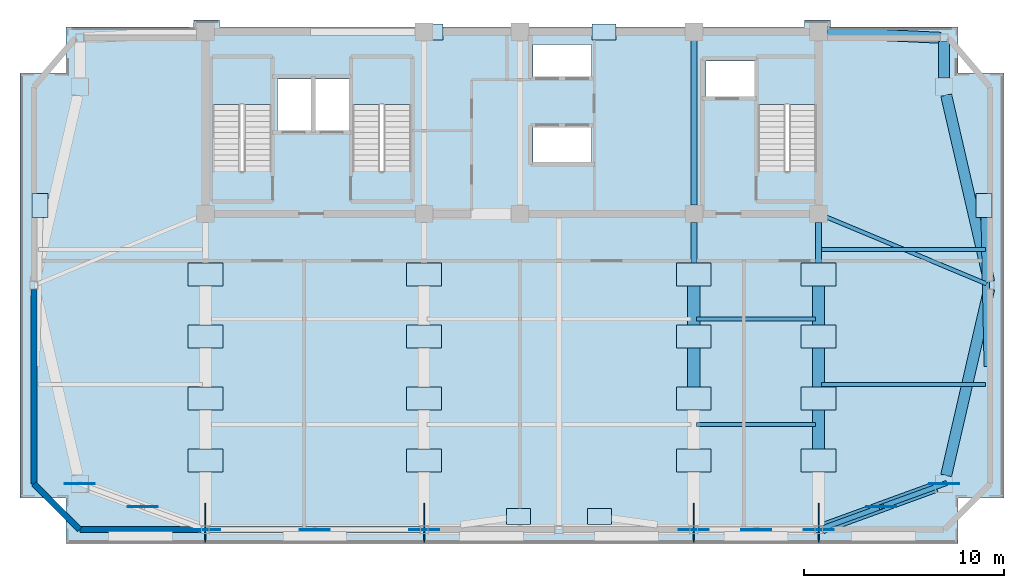
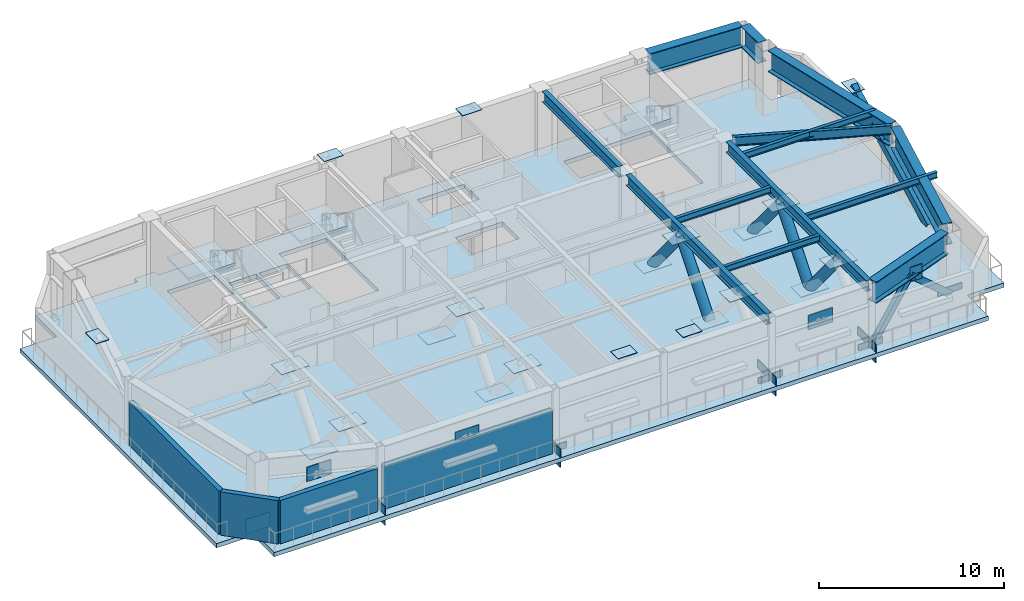
# One storey, part 2 of 7: 36 plates, 13 beams, 8 members, 4 slabs, 4 walls, 3 elements without a shape of their own.
"""IFC4 building model written with IfcOpenShell, lengths in metres."""

from ifc_helpers import new_model, si_unit, direction, frame, frame_2d, origin, origin_2d, place, context, subcontext, project, spatial, polyline, rectangle, hollow_rectangle, hollow_circle, i_section, outline, extrude, source, transform, mapped, material, layer, layer_set, material_profile, profile_set, type_object, element, aggregate, save


model = new_model("IFC4")

# Units and contexts
model_context = context("Model", 3, precision=1e-05, world=origin(), true_north=direction((0.0, 1.0)))
body_context = subcontext(model_context, "Body", "Model", "MODEL_VIEW")
ifc_project = project(units=[si_unit("LENGTHUNIT", "METRE"), si_unit("AREAUNIT", "SQUARE_METRE"), si_unit("VOLUMEUNIT", "CUBIC_METRE"), si_unit("PLANEANGLEUNIT", "RADIAN"), si_unit("MASSUNIT", "GRAM", prefix="KILO")], contexts=[model_context])

# Site, building, storey
site_placement = place(None, origin())
site = spatial("IfcSite", under=ifc_project, at=site_placement, CompositionType="ELEMENT")
building_placement = place(site_placement, origin())
building = spatial("IfcBuilding", under=site, at=building_placement, Name="Giltprow Tower", CompositionType="ELEMENT")
storey_placement = place(building_placement, frame((0.0, 0.0, 327.800048828125)))
storey = spatial("IfcBuildingStorey", under=building, at=storey_placement, Name="L85", CompositionType="ELEMENT", Elevation=327.800048828125)

# Beams
ifc_material_1 = material(Name="Structural steel Q355B", Category="steel")
ifc_material_profile_1 = material_profile(ifc_material_1, i_section(OverallWidth=0.199951171875, OverallDepth=0.39990234375, WebThickness=0.008056640625, FlangeThickness=0.012939453125, at=origin_2d()), Name="HN 400x200x8x13")
ifc_profile_set_1 = profile_set([ifc_material_profile_1], Name="Structural steel Q355B")
beam_type_1 = type_object("IfcBeamType", Name="BM-JOIST-HN400", PredefinedType="JOIST", material=ifc_profile_set_1)
shared_shape_1 = source(origin(), body_context, "Body", "SweptSolid", [
    extrude(i_section(OverallWidth=0.199951171875, OverallDepth=0.39990234375, WebThickness=0.008056640625, FlangeThickness=0.012939453125, at=origin_2d()), origin(), (0.0, 0.0, 1.0), 5.9599609375),
])
for number, where, z_axis, x_axis, name in (
    (1, (44.445068359375, 26.906982421875, 4.0849609375), (1.0, 0.0, 0.0), (0.0, 1.0, 0.0), "L85 Composite Floor Joist 1-4"),
    (2, (44.445068359375, 32.178955078125, 4.0849609375), (1.0, 0.0, 0.0), (0.0, 1.0, 0.0), "L85 Composite Floor Joist 2-4"),
):
    element("IfcBeam", number, at=place(storey_placement, frame(where, z_axis=z_axis, x_axis=x_axis)), inside=storey, type_object=beam_type_1, Name=name, PredefinedType="JOIST", context=body_context, shape_type="MappedRepresentation", body=[
        mapped(shared_shape_1, transform((0.0, 0.0, 0.0), x_axis=(1.0, 0.0, 0.0), y_axis=(0.0, 1.0, 0.0), z_axis=(0.0, 0.0, 1.0), scale=1.0)),
    ])
ifc_material_profile_2 = material_profile(ifc_material_1, i_section(OverallWidth=0.300048828125, OverallDepth=0.699951171875, WebThickness=0.012939453125, FlangeThickness=0.02392578125, at=origin_2d()), Name="HN 700x300x13x24")
ifc_profile_set_2 = profile_set([ifc_material_profile_2], Name="Structural steel Q355B")
beam_type_2 = type_object("IfcBeamType", Name="BM-GIRD-HN700", PredefinedType="BEAM", material=ifc_profile_set_2)
shared_shape_2 = source(origin(), body_context, "Body", "SweptSolid", [
    extrude(i_section(OverallWidth=0.300048828125, OverallDepth=0.699951171875, WebThickness=0.012939453125, FlangeThickness=0.02392578125, at=origin_2d()), origin(), (0.0, 0.0, 1.0), 8.22998046875),
])
beam_1_placement = place(storey_placement, frame((44.300048828125, 37.885009765625, 3.93505859375), z_axis=(0.0, 1.0, 0.0), x_axis=(-1.0, 0.0, 0.0)))
element("IfcBeam", 3, at=beam_1_placement, inside=storey, type_object=beam_type_2, Name="L85 Core Tie Girder M3", PredefinedType="BEAM", context=body_context, shape_type="MappedRepresentation", body=[
    mapped(shared_shape_2, transform((0.0, 0.0, 0.0), x_axis=(1.0, 0.0, 0.0), y_axis=(0.0, 1.0, 0.0), z_axis=(0.0, 0.0, 1.0), scale=1.0)),
])
shared_shape_3 = source(origin(), body_context, "Body", "SweptSolid", [
    extrude(i_section(OverallWidth=0.300048828125, OverallDepth=0.699951171875, WebThickness=0.012939453125, FlangeThickness=0.02392578125, at=origin_2d()), origin(), (0.0, 0.0, 1.0), 15.19384765625),
])
for number, where, z_axis, x_axis, name in (
    (4, (44.300048828125, 21.821044921875, 3.93505859375), (0.0, 1.0, 0.0), (-1.0, 0.0, 0.0), "L85 Primary Lease Girder S3"),
    (5, (50.550048828125, 21.821044921875, 3.93505859375), (0.0, 1.0, 0.0), (-1.0, 0.0, 0.0), "L85 Primary Lease Girder S4"),
):
    element("IfcBeam", number, at=place(storey_placement, frame(where, z_axis=z_axis, x_axis=x_axis)), inside=storey, type_object=beam_type_2, Name=name, PredefinedType="BEAM", context=body_context, shape_type="MappedRepresentation", body=[
        mapped(shared_shape_3, transform((0.0, 0.0, 0.0), x_axis=(1.0, 0.0, 0.0), y_axis=(0.0, 1.0, 0.0), z_axis=(0.0, 0.0, 1.0), scale=1.0)),
    ])
ifc_material_profile_3 = material_profile(ifc_material_1, i_section(OverallWidth=0.199951171875, OverallDepth=0.60009765625, WebThickness=0.010986328125, FlangeThickness=0.01708984375, at=origin_2d()), Name="HN 600x200x11x17")
ifc_profile_set_3 = profile_set([ifc_material_profile_3], Name="Structural steel Q355B")
beam_type_3 = type_object("IfcBeamType", Name="BM-GIRD-HN600", PredefinedType="BEAM", material=ifc_profile_set_3)
shared_shape_4 = source(origin(), body_context, "Body", "SweptSolid", [
    extrude(i_section(OverallWidth=0.199951171875, OverallDepth=0.60009765625, WebThickness=0.010986328125, FlangeThickness=0.01708984375, at=origin_2d()), origin(), (0.0, 0.0, 1.0), 8.6787109375),
])
beam_2_placement = place(storey_placement, frame((58.9599609375, 33.93896484375, 3.98486328125), z_axis=(-0.922834547901, 0.38519656956, 0.0), x_axis=(-0.38519656956, -0.922834547901, 0.0)))
element("IfcBeam", 6, at=beam_2_placement, inside=storey, type_object=beam_type_3, Name="L85 East Wing Primary Girder", PredefinedType="BEAM", context=body_context, shape_type="MappedRepresentation", body=[
    mapped(shared_shape_4, transform((0.0, 0.0, 0.0), x_axis=(1.0, 0.0, 0.0), y_axis=(0.0, 1.0, 0.0), z_axis=(0.0, 0.0, 1.0), scale=1.0)),
])
shared_shape_5 = source(origin(), body_context, "Body", "SweptSolid", [
    extrude(i_section(OverallWidth=0.199951171875, OverallDepth=0.39990234375, WebThickness=0.008056640625, FlangeThickness=0.012939453125, at=origin_2d()), origin(), (0.0, 0.0, 1.0), 8.2158203125),
])
for number, where, z_axis, x_axis, name in (
    (7, (50.695068359375, 28.89794921875, 4.0849609375), (1.0, 0.0, 0.0), (0.0, 1.0, 0.0), "L85 East Wing Floor Joist 1"),
    (8, (50.695068359375, 35.658935546875, 4.0849609375), (1.0, 0.0, 0.0), (0.0, 1.0, 0.0), "L85 East Wing Floor Joist 2"),
):
    element("IfcBeam", number, at=place(storey_placement, frame(where, z_axis=z_axis, x_axis=x_axis)), inside=storey, type_object=beam_type_1, Name=name, PredefinedType="JOIST", context=body_context, shape_type="MappedRepresentation", body=[
        mapped(shared_shape_5, transform((0.0, 0.0, 0.0), x_axis=(1.0, 0.0, 0.0), y_axis=(0.0, 1.0, 0.0), z_axis=(0.0, 0.0, 1.0), scale=1.0)),
    ])
ifc_material_2 = material(Name="Structural steel Q420GJC", Category="steel")
ifc_material_profile_4 = material_profile(ifc_material_2, i_section(OverallWidth=0.550048828125, OverallDepth=1.39990234375, WebThickness=0.031982421875, FlangeThickness=0.050048828125, at=origin_2d()), Name="WH 1400x550x32x50")
ifc_profile_set_4 = profile_set([ifc_material_profile_4], Name="Structural steel Q420GJC")
beam_type_4 = type_object("IfcBeamType", Name="BM-XFER-WH1400", PredefinedType="BEAM", material=ifc_profile_set_4)
shared_shape_6 = source(origin(), body_context, "Body", "SweptSolid", [
    extrude(i_section(OverallWidth=0.550048828125, OverallDepth=1.39990234375, WebThickness=0.031982421875, FlangeThickness=0.050048828125, at=origin_2d()), origin(), (0.0, 0.0, 1.0), 6.0732421875),
])
beam_3_placement = place(storey_placement, frame((50.72412109375, 21.698974609375, 3.5849609375), z_axis=(0.939516115667, 0.342504698365, 0.0), x_axis=(-0.342504698365, 0.939516115667, 0.0)))
element("IfcBeam", 9, at=beam_3_placement, inside=storey, type_object=beam_type_4, Name="L85 Perimeter Spandrel Beam S4-MC_SE", PredefinedType="BEAM", context=body_context, shape_type="MappedRepresentation", body=[
    mapped(shared_shape_6, transform((0.0, 0.0, 0.0), x_axis=(1.0, 0.0, 0.0), y_axis=(0.0, 1.0, 0.0), z_axis=(0.0, 0.0, 1.0), scale=1.0)),
])
shared_shape_7 = source(origin(), body_context, "Body", "SweptSolid", [
    extrude(i_section(OverallWidth=0.550048828125, OverallDepth=1.39990234375, WebThickness=0.031982421875, FlangeThickness=0.050048828125, at=origin_2d()), origin(), (0.0, 0.0, 1.0), 9.580810546875),
])
for number, where, z_axis, x_axis, name in (
    (10, (56.93701171875, 24.35205078125, 3.5849609375), (0.224626866527, 0.974444852639, 0.0), (-0.974444852639, 0.224626866527, 0.0), "L85 Perimeter Spandrel Beam MC_SE-E_MID"),
    (11, (59.089111328125, 34.048095703125, 3.5849609375), (-0.224626866527, 0.974444852639, 0.0), (-0.974444852639, -0.224626866527, 0.0), "L85 Perimeter Spandrel Beam E_MID-MC_NE"),
):
    element("IfcBeam", number, at=place(storey_placement, frame(where, z_axis=z_axis, x_axis=x_axis)), inside=storey, type_object=beam_type_4, Name=name, PredefinedType="BEAM", context=body_context, shape_type="MappedRepresentation", body=[
        mapped(shared_shape_7, transform((0.0, 0.0, 0.0), x_axis=(1.0, 0.0, 0.0), y_axis=(0.0, 1.0, 0.0), z_axis=(0.0, 0.0, 1.0), scale=1.0)),
    ])
shared_shape_8 = source(origin(), body_context, "Body", "SweptSolid", [
    extrude(i_section(OverallWidth=0.550048828125, OverallDepth=1.39990234375, WebThickness=0.031982421875, FlangeThickness=0.050048828125, at=origin_2d()), origin(), (0.0, 0.0, 1.0), 1.822021484375),
])
beam_4_placement = place(storey_placement, frame((56.839111328125, 44.242919921875, 3.5849609375), z_axis=(0.0, 1.0, 0.0), x_axis=(-1.0, 0.0, 0.0)))
element("IfcBeam", 12, at=beam_4_placement, inside=storey, type_object=beam_type_4, Name="L85 Perimeter Spandrel Beam MC_NE-N_E", PredefinedType="BEAM", context=body_context, shape_type="MappedRepresentation", body=[
    mapped(shared_shape_8, transform((0.0, 0.0, 0.0), x_axis=(1.0, 0.0, 0.0), y_axis=(0.0, 1.0, 0.0), z_axis=(0.0, 0.0, 1.0), scale=1.0)),
])
shared_shape_9 = source(origin(), body_context, "Body", "SweptSolid", [
    extrude(i_section(OverallWidth=0.550048828125, OverallDepth=1.39990234375, WebThickness=0.031982421875, FlangeThickness=0.050048828125, at=origin_2d()), origin(), (0.0, 0.0, 1.0), 5.67529296875),
])
beam_5_placement = place(storey_placement, frame((50.985107421875, 46.529052734375, 3.5849609375), z_axis=(0.9988675537, -0.047577412334, 0.0), x_axis=(0.047577412334, 0.9988675537, 0.0)))
element("IfcBeam", 13, at=beam_5_placement, inside=storey, type_object=beam_type_4, Name="L85 North Wing Spandrel E", PredefinedType="BEAM", context=body_context, shape_type="MappedRepresentation", body=[
    mapped(shared_shape_9, transform((0.0, 0.0, 0.0), x_axis=(1.0, 0.0, 0.0), y_axis=(0.0, 1.0, 0.0), z_axis=(0.0, 0.0, 1.0), scale=1.0)),
])

# Members
ifc_material_profile_5 = material_profile(ifc_material_2, hollow_circle(Radius=0.304931640625, WallThickness=0.028076171875, at=origin_2d()), Name="CHS 610x28")
ifc_profile_set_5 = profile_set([ifc_material_profile_5], Name="Structural steel Q420GJC")
member_type_1 = type_object("IfcMemberType", Name="MBR-OUTR-CHS610", PredefinedType="BRACE", material=ifc_profile_set_5)
shared_shape_10 = source(origin(), body_context, "Body", "SweptSolid", [
    extrude(hollow_circle(Radius=0.304931640625, WallThickness=0.028076171875, at=origin_2d()), origin(), (0.0, 0.0, 1.0), 4.8642578125),
])
for number, where, z_axis, x_axis, name in (
    (14, (44.300048828125, 31.2958984375, 3.6650390625), (0.0, 0.638128394991, -0.769929965326), (-1.0, 0.0, 0.0), "L85 Outrigger Truss Diagonal S3-4"),
    (15, (50.550048828125, 31.2958984375, 3.6650390625), (0.0, 0.638128394991, -0.769929965326), (-1.0, 0.0, 0.0), "L85 Outrigger Truss Diagonal S4-4"),
):
    element("IfcMember", number, at=place(storey_placement, frame(where, z_axis=z_axis, x_axis=x_axis)), inside=storey, type_object=member_type_1, Name=name, PredefinedType="BRACE", context=body_context, shape_type="MappedRepresentation", body=[
        mapped(shared_shape_10, transform((0.0, 0.0, 0.0), x_axis=(1.0, 0.0, 0.0), y_axis=(0.0, 1.0, 0.0), z_axis=(0.0, 0.0, 1.0), scale=1.0)),
    ])
shared_shape_11 = source(origin(), body_context, "Body", "SweptSolid", [
    extrude(hollow_circle(Radius=0.304931640625, WallThickness=0.028076171875, at=origin_2d()), origin(), (0.0, 0.0, 1.0), 4.863525390625),
])
for number, where, z_axis, x_axis, name in (
    (16, (44.300048828125, 28.193115234375, -0.080078125), (0.0, 0.637979595091, 0.770053268448), (-1.0, 0.0, 0.0), "L85 Outrigger Truss Diagonal S3-3"),
    (17, (50.550048828125, 25.090087890625, 3.6650390625), (0.0, 0.63800936079, -0.770028606965), (-1.0, 0.0, 0.0), "L85 Outrigger Truss Diagonal S4-2"),
    (18, (50.550048828125, 28.193115234375, -0.080078125), (0.0, 0.637979595091, 0.770053268448), (-1.0, 0.0, 0.0), "L85 Outrigger Truss Diagonal S4-3"),
):
    element("IfcMember", number, at=place(storey_placement, frame(where, z_axis=z_axis, x_axis=x_axis)), inside=storey, type_object=member_type_1, Name=name, PredefinedType="BRACE", context=body_context, shape_type="MappedRepresentation", body=[
        mapped(shared_shape_11, transform((0.0, 0.0, 0.0), x_axis=(1.0, 0.0, 0.0), y_axis=(0.0, 1.0, 0.0), z_axis=(0.0, 0.0, 1.0), scale=1.0)),
    ])
ifc_material_profile_6 = material_profile(ifc_material_2, hollow_rectangle(XDim=0.25, YDim=0.39990234375, WallThickness=0.01806640625, at=origin_2d()), Name="RHS 400x250x18")
ifc_profile_set_6 = profile_set([ifc_material_profile_6], Name="Structural steel Q420GJC")
member_type_2 = type_object("IfcMemberType", Name="MBR-BELT-RHS400", PredefinedType="CHORD", material=ifc_profile_set_6)
shared_shape_12 = source(origin(), body_context, "Body", "SweptSolid", [
    extrude(hollow_rectangle(XDim=0.25, YDim=0.39990234375, WallThickness=0.01806640625, at=origin_2d()), origin(), (0.0, 0.0, 1.0), 4.5244140625),
])
member_1_placement = place(storey_placement, frame((50.550048828125, 21.635986328125, -0.080078125), z_axis=(0.694913918805, 0.253294450603, 0.673005621629), x_axis=(-0.342457618058, 0.939533277662, 0.0)))
element("IfcMember", 19, at=member_1_placement, inside=storey, type_object=member_type_2, Name="L85 Belt-Truss Diagonal 4-1", PredefinedType="CHORD", context=body_context, shape_type="MappedRepresentation", body=[
    mapped(shared_shape_12, transform((0.0, 0.0, 0.0), x_axis=(1.0, 0.0, 0.0), y_axis=(0.0, 1.0, 0.0), z_axis=(0.0, 0.0, 1.0), scale=1.0)),
])
shared_shape_13 = source(origin(), body_context, "Body", "SweptSolid", [
    extrude(hollow_rectangle(XDim=0.25, YDim=0.39990234375, WallThickness=0.01806640625, at=origin_2d()), origin(), (0.0, 0.0, 1.0), 4.525146484375),
])
member_2_placement = place(storey_placement, frame((56.839111328125, 23.927978515625, -0.080078125), z_axis=(-0.695025506142, -0.25325646063, 0.672904681929), x_axis=(0.342363747027, -0.939567488114, 0.0)))
element("IfcMember", 20, at=member_2_placement, inside=storey, type_object=member_type_2, Name="L85 Belt-Truss Diagonal 4-2", PredefinedType="CHORD", context=body_context, shape_type="MappedRepresentation", body=[
    mapped(shared_shape_13, transform((0.0, 0.0, 0.0), x_axis=(1.0, 0.0, 0.0), y_axis=(0.0, 1.0, 0.0), z_axis=(0.0, 0.0, 1.0), scale=1.0)),
])
ifc_material_profile_7 = material_profile(ifc_material_2, hollow_rectangle(XDim=0.35009765625, YDim=0.5, WallThickness=0.02392578125, at=origin_2d()), Name="RHS 500x350x24")
ifc_profile_set_7 = profile_set([ifc_material_profile_7], Name="Structural steel Q420GJC")
member_type_3 = type_object("IfcMemberType", Name="MBR-MEGA-RHS500", PredefinedType="BRACE", material=ifc_profile_set_7)
shared_shape_14 = source(origin(), body_context, "Body", "SweptSolid", [
    extrude(hollow_rectangle(XDim=0.35009765625, YDim=0.5, WallThickness=0.02392578125, at=origin_2d()), origin(), (0.0, 0.0, 1.0), 9.124267578125),
])
member_3_placement = place(storey_placement, frame((59.006103515625, 29.923095703125, 0.0), z_axis=(-0.018194726134, 0.869734666149, 0.493184106029), x_axis=(-0.999781251558, -0.020915282297, 0.0)))
element("IfcMember", 21, at=member_3_placement, inside=storey, type_object=member_type_3, Name="L85 Chevron Mega-Brace E-D", PredefinedType="BRACE", context=body_context, shape_type="MappedRepresentation", body=[
    mapped(shared_shape_14, transform((0.0, 0.0, 0.0), x_axis=(1.0, 0.0, 0.0), y_axis=(0.0, 1.0, 0.0), z_axis=(0.0, 0.0, 1.0), scale=1.0)),
])

# Slab
ifc_material_3 = material(Name="Concrete C40", Category="concrete")
ifc_layer_1 = layer(ifc_material_3, 0.280029296875, Name="Concrete C40")
ifc_layer_set_1 = layer_set([ifc_layer_1], Name="Concrete C40")
slab_type_1 = type_object("IfcSlabType", Name="SLB-REF-280", PredefinedType="FLOOR", material=ifc_layer_set_1)
slab_1_placement = place(storey_placement, frame((0.0, 0.0, -0.280029296875)))
element("IfcSlab", 22, at=slab_1_placement, inside=storey, type_object=slab_type_1, Name="L85 Structural Composite Floor Slab", PredefinedType="FLOOR", context=body_context, shape_type="SweptSolid", body=[
    extrude(outline(polyline([(59.8310546875, 44.508056640625), (59.8310546875, 23.22802734375), (57.5380859375, 23.22802734375), (57.5380859375, 20.93603515625), (12.862060546875, 20.93603515625), (12.862060546875, 23.22802734375), (10.570068359375, 23.22802734375), (10.570068359375, 44.508056640625), (12.862060546875, 44.508056640625), (12.862060546875, 46.800048828125), (19.25, 46.800048828125), (19.25, 47.14990234375), (20.550048828125, 47.14990234375), (20.550048828125, 46.800048828125), (49.85009765625, 46.800048828125), (49.85009765625, 47.14990234375), (51.14990234375, 47.14990234375), (51.14990234375, 46.800048828125), (57.5380859375, 46.800048828125), (57.5380859375, 44.508056640625), (59.8310546875, 44.508056640625)]), holes=[polyline([(39.18994140625, 41.800048828125), (36.239990234375, 41.800048828125), (36.239990234375, 40.0), (39.18994140625, 40.0), (39.18994140625, 41.800048828125)]), polyline([(23.159912109375, 45.25), (20.199951171875, 45.25), (20.199951171875, 39.570068359375), (23.159912109375, 39.570068359375), (23.159912109375, 45.25)]), polyline([(30.159912109375, 45.25), (27.199951171875, 45.25), (27.199951171875, 39.570068359375), (30.159912109375, 39.570068359375), (30.159912109375, 45.25)]), polyline([(50.4599609375, 45.25), (47.5, 45.25), (47.5, 39.570068359375), (50.4599609375, 39.570068359375), (50.4599609375, 45.25)]), polyline([(25.169921875, 44.199951171875), (23.449951171875, 44.199951171875), (23.449951171875, 41.60009765625), (25.169921875, 41.60009765625), (25.169921875, 44.199951171875)]), polyline([(27.10009765625, 44.199951171875), (25.35009765625, 44.199951171875), (25.35009765625, 41.60009765625), (27.10009765625, 41.60009765625), (27.10009765625, 44.199951171875)]), polyline([(47.3798828125, 45.10009765625), (44.919921875, 45.10009765625), (44.919921875, 43.300048828125), (47.3798828125, 43.300048828125), (47.3798828125, 45.10009765625)]), polyline([(39.18994140625, 45.919921875), (36.239990234375, 45.919921875), (36.239990234375, 44.300048828125), (39.18994140625, 44.300048828125), (39.18994140625, 45.919921875)])]), origin(), (0.0, 0.0, 1.0), 0.280029296875),
])

# Stair, slab
stair_type_1 = type_object("IfcStairType", Name="STR-ST-1", PredefinedType="HALF_TURN_STAIR", material=ifc_material_3)
stair_1_placement = place(storey_placement, origin())
stair_1 = element("IfcStair", 23, at=stair_1_placement, inside=storey, type_object=stair_type_1, Name="L85 Core Exit Stair ST-1", PredefinedType="HALF_TURN_STAIR")
ifc_layer_2 = layer(ifc_material_3, 0.179931640625, Name="Concrete C40")
ifc_layer_set_2 = layer_set([ifc_layer_2], Name="Concrete C40")
slab_type_2 = type_object("IfcSlabType", Name="SLD-ST-1", PredefinedType="LANDING", material=ifc_layer_set_2)
slab_2_placement = place(storey_placement, frame((0.0, 0.0, 2.070068359375)))
slab_2 = element("IfcSlab", 24, at=slab_2_placement, type_object=slab_type_2, Name="ST-1 landing 1", PredefinedType="LANDING", context=body_context, shape_type="SweptSolid", body=[
    extrude(outline(polyline([(23.159912109375, 42.909912109375), (23.159912109375, 45.25), (20.199951171875, 45.25), (20.199951171875, 42.909912109375), (23.159912109375, 42.909912109375)])), origin(), (0.0, 0.0, 1.0), 0.179931640625),
])
aggregate(stair_1, [slab_2])

stair_type_2 = type_object("IfcStairType", Name="STR-ST-2", PredefinedType="HALF_TURN_STAIR", material=ifc_material_3)
stair_2_placement = place(storey_placement, origin())
stair_2 = element("IfcStair", 25, at=stair_2_placement, inside=storey, type_object=stair_type_2, Name="L85 Core Exit Stair ST-2", PredefinedType="HALF_TURN_STAIR")
ifc_layer_3 = layer(ifc_material_3, 0.18798828125, Name="Concrete C40")
ifc_layer_set_3 = layer_set([ifc_layer_3], Name="Concrete C40")
slab_type_3 = type_object("IfcSlabType", Name="SLD-ST-2", PredefinedType="LANDING", material=ifc_layer_set_3)
slab_3_placement = place(storey_placement, frame((0.0, 0.0, 2.06201171875)))
slab_3 = element("IfcSlab", 26, at=slab_3_placement, type_object=slab_type_3, Name="ST-2 landing 1", PredefinedType="LANDING", context=body_context, shape_type="SweptSolid", body=[
    extrude(outline(polyline([(30.159912109375, 42.909912109375), (30.159912109375, 45.25), (27.199951171875, 45.25), (27.199951171875, 42.909912109375), (30.159912109375, 42.909912109375)])), origin(), (0.0, 0.0, 1.0), 0.18798828125),
])
aggregate(stair_2, [slab_3])

stair_type_3 = type_object("IfcStairType", Name="STR-ST-3", PredefinedType="HALF_TURN_STAIR", material=ifc_material_3)
stair_3_placement = place(storey_placement, origin())
stair_3 = element("IfcStair", 27, at=stair_3_placement, inside=storey, type_object=stair_type_3, Name="L85 Core Exit Stair ST-3", PredefinedType="HALF_TURN_STAIR")
ifc_layer_4 = layer(ifc_material_3, 0.196044921875, Name="Concrete C40")
ifc_layer_set_4 = layer_set([ifc_layer_4], Name="Concrete C40")
slab_type_4 = type_object("IfcSlabType", Name="SLD-ST-3", PredefinedType="LANDING", material=ifc_layer_set_4)
slab_4_placement = place(storey_placement, frame((0.0, 0.0, 2.053955078125)))
slab_4 = element("IfcSlab", 28, at=slab_4_placement, type_object=slab_type_4, Name="ST-3 landing 1", PredefinedType="LANDING", context=body_context, shape_type="SweptSolid", body=[
    extrude(outline(polyline([(50.4599609375, 42.909912109375), (50.4599609375, 45.25), (47.5, 45.25), (47.5, 42.909912109375), (50.4599609375, 42.909912109375)])), origin(), (0.0, 0.0, 1.0), 0.196044921875),
])
aggregate(stair_3, [slab_4])

# Plates
plate_type_1 = type_object("IfcPlateType", Name="PLT-CAP-SEAL-INT", PredefinedType="USERDEFINED", material=ifc_material_2)
shared_shape_15 = source(origin(), body_context, "Body", "SweptSolid", [
    extrude(rectangle(XDim=1.75, YDim=1.14990234375, at=origin_2d()), origin(), (0.0, 0.0, 1.0), 0.0400390625),
])
for number, where, z_axis, x_axis, name in (
    (29, (19.85009765625, 25.090087890625, 3.64501953125), (0.0, 0.0, 1.0), (1.0, 0.0, 0.0), "Outrigger Seal Plate L85-S1-1B"),
    (30, (19.85009765625, 28.193115234375, -0.10009765625), (0.0, 0.0, 1.0), (1.0, 0.0, 0.0), "Outrigger Seal Plate L85-S1-2B"),
    (31, (19.85009765625, 31.2958984375, 3.64501953125), (0.0, 0.0, 1.0), (1.0, 0.0, 0.0), "Outrigger Seal Plate L85-S1-3B"),
    (32, (19.85009765625, 34.39990234375, -0.10009765625), (0.0, 0.0, 1.0), (1.0, 0.0, 0.0), "Outrigger Seal Plate L85-S1-4B"),
    (33, (30.800048828125, 25.090087890625, 3.64501953125), (0.0, 0.0, 1.0), (1.0, 0.0, 0.0), "Outrigger Seal Plate L85-S2-1B"),
    (34, (30.800048828125, 28.193115234375, -0.10009765625), (0.0, 0.0, 1.0), (1.0, 0.0, 0.0), "Outrigger Seal Plate L85-S2-2B"),
    (35, (30.800048828125, 31.2958984375, 3.64501953125), (0.0, 0.0, 1.0), (1.0, 0.0, 0.0), "Outrigger Seal Plate L85-S2-3B"),
    (36, (30.800048828125, 34.39990234375, -0.10009765625), (0.0, 0.0, 1.0), (1.0, 0.0, 0.0), "Outrigger Seal Plate L85-S2-4B"),
    (37, (44.300048828125, 25.090087890625, 3.64501953125), (0.0, 0.0, 1.0), (1.0, 0.0, 0.0), "Outrigger Seal Plate L85-S3-1B"),
    (38, (44.300048828125, 28.193115234375, -0.10009765625), (0.0, 0.0, 1.0), (1.0, 0.0, 0.0), "Outrigger Seal Plate L85-S3-2B"),
    (39, (44.300048828125, 31.2958984375, 3.64501953125), (0.0, 0.0, 1.0), (1.0, 0.0, 0.0), "Outrigger Seal Plate L85-S3-3B"),
    (40, (44.300048828125, 34.39990234375, -0.10009765625), (0.0, 0.0, 1.0), (1.0, 0.0, 0.0), "Outrigger Seal Plate L85-S3-4B"),
    (41, (50.550048828125, 25.090087890625, 3.64501953125), (0.0, 0.0, 1.0), (1.0, 0.0, 0.0), "Outrigger Seal Plate L85-S4-1B"),
    (42, (50.550048828125, 28.193115234375, -0.10009765625), (0.0, 0.0, 1.0), (1.0, 0.0, 0.0), "Outrigger Seal Plate L85-S4-2B"),
    (43, (50.550048828125, 31.2958984375, 3.64501953125), (0.0, 0.0, 1.0), (1.0, 0.0, 0.0), "Outrigger Seal Plate L85-S4-3B"),
    (44, (50.550048828125, 34.39990234375, -0.10009765625), (0.0, 0.0, 1.0), (1.0, 0.0, 0.0), "Outrigger Seal Plate L85-S4-4B"),
):
    element("IfcPlate", number, at=place(storey_placement, frame(where, z_axis=z_axis, x_axis=x_axis)), inside=storey, type_object=plate_type_1, Name=name, ObjectType="SPLICE", PredefinedType="USERDEFINED", context=body_context, shape_type="MappedRepresentation", body=[
        mapped(shared_shape_15, transform((0.0, 0.0, 0.0), x_axis=(1.0, 0.0, 0.0), y_axis=(0.0, 1.0, 0.0), z_axis=(0.0, 0.0, 1.0), scale=1.0)),
    ])
plate_type_2 = type_object("IfcPlateType", Name="PLT-NODE-OTN1", PredefinedType="USERDEFINED", material=ifc_material_2)
shared_shape_16 = source(origin(), body_context, "Body", "SweptSolid", [
    extrude(rectangle(XDim=1.949951171875, YDim=0.054931640625, at=origin_2d()), origin(), (0.0, 0.0, 1.0), 1.25),
])
for number, where, z_axis, x_axis, name in (
    (45, (19.85009765625, 21.986083984375, -0.705078125), (0.0, 0.0, 1.0), (0.0, 1.0, 0.0), "OTN1 Outrigger Node L85-S1-1A"),
    (46, (30.800048828125, 21.986083984375, -0.705078125), (0.0, 0.0, 1.0), (0.0, 1.0, 0.0), "OTN1 Outrigger Node L85-S2-1A"),
    (47, (44.300048828125, 21.986083984375, -0.705078125), (0.0, 0.0, 1.0), (0.0, 1.0, 0.0), "OTN1 Outrigger Node L85-S3-1A"),
    (48, (50.550048828125, 21.986083984375, -0.705078125), (0.0, 0.0, 1.0), (0.0, 1.0, 0.0), "OTN1 Outrigger Node L85-S4-1A"),
):
    element("IfcPlate", number, at=place(storey_placement, frame(where, z_axis=z_axis, x_axis=x_axis)), inside=storey, type_object=plate_type_2, Name=name, ObjectType="GUSSET", PredefinedType="USERDEFINED", context=body_context, shape_type="MappedRepresentation", body=[
        mapped(shared_shape_16, transform((0.0, 0.0, 0.0), x_axis=(1.0, 0.0, 0.0), y_axis=(0.0, 1.0, 0.0), z_axis=(0.0, 0.0, 1.0), scale=1.0)),
    ])
plate_type_3 = type_object("IfcPlateType", Name="PLT-NODE-BTN1", PredefinedType="USERDEFINED", material=ifc_material_2)
shared_shape_17 = source(origin(), body_context, "Body", "SweptSolid", [
    extrude(rectangle(XDim=1.5, YDim=0.0400390625, at=origin_2d()), origin(), (0.0, 0.0, 1.0), 0.949951171875),
])
for number, where, z_axis, x_axis, name in (
    (49, (13.56201171875, 23.927978515625, -0.55517578125), (0.0, 0.0, 1.0), (1.0, 0.0, 0.0), "BTN1 Belt Node L85-1-1A"),
    (50, (16.7060546875, 22.781982421875, 2.48974609375), (0.0, 0.0, 1.0), (1.0, 0.0, 0.0), "BTN1 Belt Apex L85-1-1B"),
    (51, (19.85009765625, 21.635986328125, -0.55517578125), (0.0, 0.0, 1.0), (1.0, 0.0, 0.0), "BTN1 Belt Node L85-1-2A"),
    (52, (25.324951171875, 21.635986328125, 2.48974609375), (0.0, 0.0, 1.0), (1.0, 0.0, 0.0), "BTN1 Belt Apex L85-2-1B"),
    (53, (30.800048828125, 21.635986328125, -0.55517578125), (0.0, 0.0, 1.0), (1.0, 0.0, 0.0), "BTN1 Belt Node L85-2-2A"),
    (54, (44.300048828125, 21.635986328125, -0.55517578125), (0.0, 0.0, 1.0), (1.0, 0.0, 0.0), "BTN1 Belt Node L85-3-1A"),
    (55, (47.425048828125, 21.635986328125, 2.48974609375), (0.0, 0.0, 1.0), (1.0, 0.0, 0.0), "BTN1 Belt Apex L85-3-1B"),
    (56, (50.550048828125, 21.635986328125, -0.55517578125), (0.0, 0.0, 1.0), (1.0, 0.0, 0.0), "BTN1 Belt Node L85-3-2A"),
    (57, (53.694091796875, 22.781982421875, 2.48974609375), (0.0, 0.0, 1.0), (1.0, 0.0, 0.0), "BTN1 Belt Apex L85-4-1B"),
    (58, (56.839111328125, 23.927978515625, -0.55517578125), (0.0, 0.0, 1.0), (1.0, 0.0, 0.0), "BTN1 Belt Node L85-4-2A"),
):
    element("IfcPlate", number, at=place(storey_placement, frame(where, z_axis=z_axis, x_axis=x_axis)), inside=storey, type_object=plate_type_3, Name=name, ObjectType="SPLICE", PredefinedType="USERDEFINED", context=body_context, shape_type="MappedRepresentation", body=[
        mapped(shared_shape_17, transform((0.0, 0.0, 0.0), x_axis=(1.0, 0.0, 0.0), y_axis=(0.0, 1.0, 0.0), z_axis=(0.0, 0.0, 1.0), scale=1.0)),
    ])
plate_type_4 = type_object("IfcPlateType", Name="PLT-CAP-SEAL", PredefinedType="USERDEFINED", material=ifc_material_2)
shared_shape_18 = source(origin(), body_context, "Body", "SweptSolid", [
    extrude(rectangle(XDim=1.199951171875, YDim=0.800048828125, at=origin_2d()), origin(), (0.0, 0.0, 1.0), 0.034912109375),
])
for number, where, z_axis, x_axis, name in (
    (59, (35.51904296875, 22.2880859375, 4.482421875), (0.0, 0.0, 1.0), (1.0, 0.0, 0.0), "Mega-Brace Node L85-S-LB"),
    (60, (39.5810546875, 22.2880859375, 4.482421875), (0.0, 0.0, 1.0), (1.0, 0.0, 0.0), "Mega-Brace Node L85-S-RB"),
    (61, (31.14697265625, 46.550048828125, 4.34228515625), (0.0, 0.0, 1.0), (1.0, 0.0, 0.0), "Mega-Brace Node L85-N-LB"),
    (62, (39.81201171875, 46.550048828125, 4.34228515625), (0.0, 0.0, 1.0), (1.0, 0.0, 0.0), "Mega-Brace Node L85-N-RB"),
    (63, (11.56005859375, 37.85888671875, 4.482421875), (0.0, 0.0, 1.0), (0.0, 1.0, 0.0), "Mega-Brace Node L85-W-DB"),
    (64, (58.840087890625, 37.85888671875, 4.482421875), (0.0, 0.0, 1.0), (0.0, 1.0, 0.0), "Mega-Brace Node L85-E-DB"),
):
    element("IfcPlate", number, at=place(storey_placement, frame(where, z_axis=z_axis, x_axis=x_axis)), inside=storey, type_object=plate_type_4, Name=name, ObjectType="SPLICE", PredefinedType="USERDEFINED", context=body_context, shape_type="MappedRepresentation", body=[
        mapped(shared_shape_18, transform((0.0, 0.0, 0.0), x_axis=(1.0, 0.0, 0.0), y_axis=(0.0, 1.0, 0.0), z_axis=(0.0, 0.0, 1.0), scale=1.0)),
    ])

# Walls
ifc_material_4 = material(Name="Precast concrete C40", Category="concrete")
ifc_layer_5 = layer(ifc_material_4, 0.300048828125, Name="Precast concrete C40")
ifc_layer_set_5 = layer_set([ifc_layer_5], Name="Precast concrete C40")
wall_type_1 = type_object("IfcWallType", Name="EW-NOTCH-CHAMFER-300", PredefinedType="SOLIDWALL", material=ifc_layer_set_5)
wall_1_placement = place(storey_placement, frame((11.27001953125, 23.927978515625, 0.0), z_axis=(0.0, 0.0, 1.0), x_axis=(0.707106781187, -0.707106781187, 0.0)))
element("IfcWall", 65, at=wall_1_placement, inside=storey, type_object=wall_type_1, Name="L85 Corner Notch Wall SW", PredefinedType="SOLIDWALL", context=body_context, shape_type="SweptSolid", body=[
    extrude(rectangle(XDim=3.241455078125, YDim=0.300048828125, at=frame_2d((1.62060546875, 0.0))), origin(), (0.0, 0.0, 1.0), 2.864990234375),
])
ifc_layer_6 = layer(ifc_material_4, 0.300048828125, Name="Precast concrete C40")
ifc_layer_set_6 = layer_set([ifc_layer_6], Name="Precast concrete C40")
wall_type_2 = type_object("IfcWallType", Name="EW-REF-LOUVRE-300", PredefinedType="SOLIDWALL", material=ifc_layer_set_6)
wall_2_placement = place(storey_placement, frame((13.56201171875, 21.635986328125, 0.0), z_axis=(0.0, 0.0, 1.0), x_axis=(1.0, 0.0, 0.0)))
element("IfcWall", 66, at=wall_2_placement, inside=storey, type_object=wall_type_2, Name="L85 South Expressed Frame Wall 1", PredefinedType="SOLIDWALL", context=body_context, shape_type="SweptSolid", body=[
    extrude(rectangle(XDim=6.087890625, YDim=0.300048828125, at=frame_2d((3.0439453125, 0.0))), origin(), (0.0, 0.0, 1.0), 2.864990234375),
])
wall_3_placement = place(storey_placement, frame((20.050048828125, 21.635986328125, 0.0), z_axis=(0.0, 0.0, 1.0), x_axis=(1.0, 0.0, 0.0)))
element("IfcWall", 67, at=wall_3_placement, inside=storey, type_object=wall_type_2, Name="L85 South Expressed Frame Wall 2", PredefinedType="SOLIDWALL", context=body_context, shape_type="SweptSolid", body=[
    extrude(rectangle(XDim=10.550048828125, YDim=0.300048828125, at=frame_2d((5.27490234375, 0.0))), origin(), (0.0, 0.0, 1.0), 2.864990234375),
])
wall_4_placement = place(storey_placement, frame((11.27001953125, 23.927978515625, 0.0), z_axis=(0.0, 0.0, 1.0), x_axis=(0.0, 1.0, 0.0)))
element("IfcWall", 68, at=wall_4_placement, inside=storey, type_object=wall_type_2, Name="L85 W Wing Masonry Wall 1", PredefinedType="SOLIDWALL", context=body_context, shape_type="SweptSolid", body=[
    extrude(rectangle(XDim=9.739990234375, YDim=0.300048828125, at=frame_2d((4.8701171875, 0.0))), origin(), (0.0, 0.0, 1.0), 2.864990234375),
])

save(model, "model.ifc")
